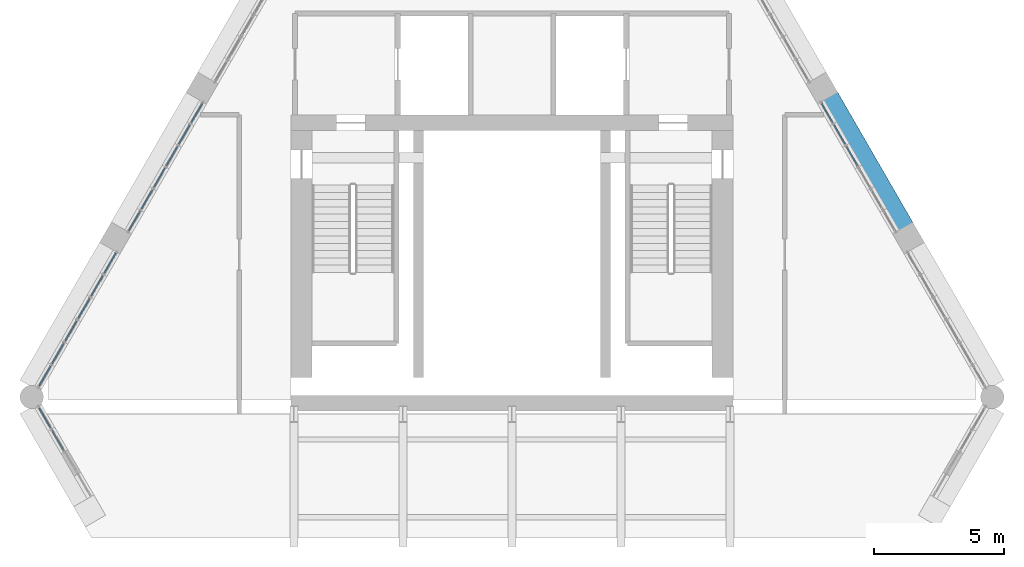
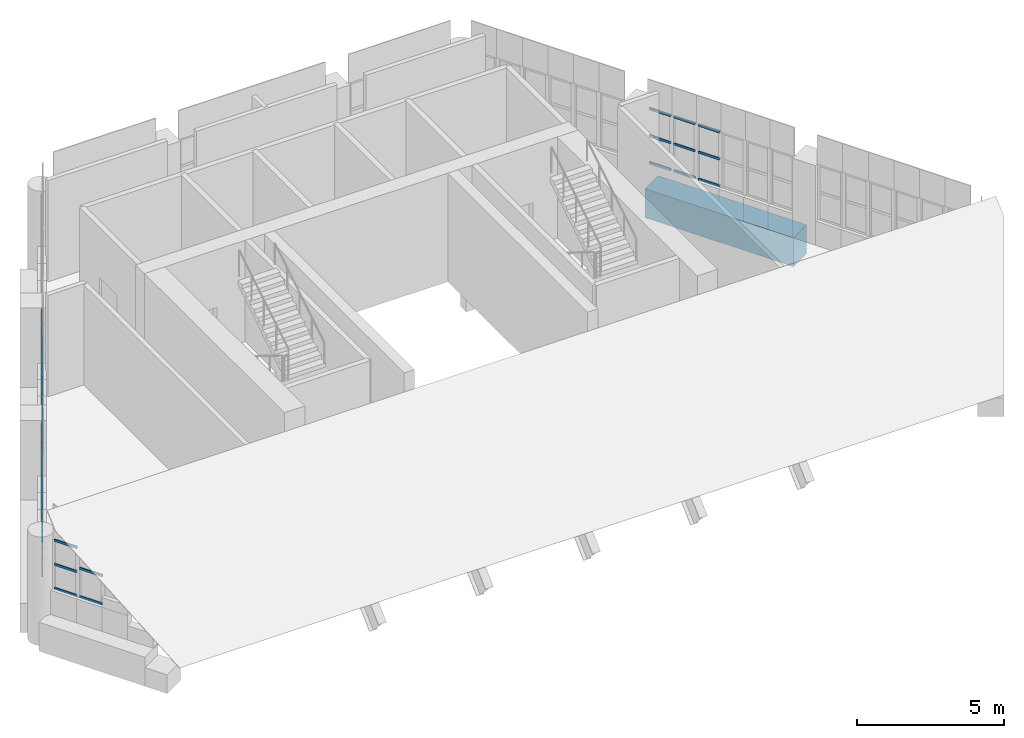
# One storey, part 11 of 20: 50 members, 1 beam, 17 elements without a shape of their own.
"""IFC4 building model written with IfcOpenShell, lengths in metres."""

from ifc_helpers import new_model, si_unit, direction, frame, origin, origin_2d, place, context, subcontext, project, spatial, rectangle, hollow_rectangle, extrude, material, material_profile, profile_set, type_object, element, aggregate, save


model = new_model("IFC4")

# Units and contexts
model_context = context("Model", 3, precision=1e-05, world=origin(), true_north=direction((0.0, 1.0)))
body_context = subcontext(model_context, "Body", "Model", "MODEL_VIEW")
ifc_project = project(units=[si_unit("LENGTHUNIT", "METRE"), si_unit("AREAUNIT", "SQUARE_METRE"), si_unit("VOLUMEUNIT", "CUBIC_METRE"), si_unit("PLANEANGLEUNIT", "RADIAN"), si_unit("MASSUNIT", "GRAM", prefix="KILO")], contexts=[model_context])

# Site, building, storey
site_placement = place(None, origin())
site = spatial("IfcSite", under=ifc_project, at=site_placement, CompositionType="ELEMENT")
building_placement = place(site_placement, origin())
building = spatial("IfcBuilding", under=site, at=building_placement, Name="Ostrander Bayou Hotel Tower", CompositionType="ELEMENT")
storey_placement = place(building_placement, frame((0.0, 0.0, 284.0)))
storey = spatial("IfcBuildingStorey", under=building, at=storey_placement, Name="L70", CompositionType="ELEMENT", Elevation=284.0)

# Curtain wall, members
ifc_material_1 = material(Name="Aluminium and clear glass", Category="aluminium")
curtain_wall_type = type_object("IfcCurtainWallType", Name="CW-CROWN glazed wall", PredefinedType="NOTDEFINED", material=ifc_material_1)
curtain_wall_1_placement = place(storey_placement, origin())
curtain_wall_1 = element("IfcCurtainWall", 1, at=curtain_wall_1_placement, inside=storey, type_object=curtain_wall_type, Name="CW-CROWN L70:NW-2-1", PredefinedType="NOTDEFINED")
ifc_material_2 = material(Name="Aluminium", Category="aluminium")
ifc_material_profile_1 = material_profile(ifc_material_2, hollow_rectangle(XDim=0.050048828125, YDim=0.10009765625, WallThickness=0.00390625, at=origin_2d()))
ifc_profile_set_1 = profile_set([ifc_material_profile_1], Name="Aluminium")
member_type = type_object("IfcMemberType", Name="CW-CR transom 50 x 100 mm", PredefinedType="USERDEFINED", material=ifc_profile_set_1)
member_1_placement = place(storey_placement, frame((-11.92138671875, 10.138427734375, 1.030029296875), z_axis=(-0.500016035621, -0.866016145416, 0.0), x_axis=(0.866016145416, -0.500016035621, 0.0)))
member_1 = element("IfcMember", 2, at=member_1_placement, type_object=member_type, Name="CW-CROWN transom 1.1", ObjectType="TRANSOM", PredefinedType="USERDEFINED", context=body_context, shape_type="SweptSolid", body=[
    extrude(hollow_rectangle(XDim=0.050048828125, YDim=0.10009765625, WallThickness=0.00390625, at=origin_2d()), origin(), (0.0, 0.0, 1.0), 0.83984375),
])
member_2_placement = place(storey_placement, frame((-11.92138671875, 10.138427734375, 2.14990234375), z_axis=(-0.500016035621, -0.866016145416, 0.0), x_axis=(0.866016145416, -0.500016035621, 0.0)))
member_2 = element("IfcMember", 3, at=member_2_placement, type_object=member_type, Name="CW-CROWN transom 1.2", ObjectType="TRANSOM", PredefinedType="USERDEFINED", context=body_context, shape_type="SweptSolid", body=[
    extrude(hollow_rectangle(XDim=0.050048828125, YDim=0.10009765625, WallThickness=0.00390625, at=origin_2d()), origin(), (0.0, 0.0, 1.0), 0.83984375),
])
member_3_placement = place(storey_placement, frame((-11.92138671875, 10.138427734375, 3.27001953125), z_axis=(-0.500016035621, -0.866016145416, 0.0), x_axis=(0.866016145416, -0.500016035621, 0.0)))
member_3 = element("IfcMember", 4, at=member_3_placement, type_object=member_type, Name="CW-CROWN transom 1.3", ObjectType="TRANSOM", PredefinedType="USERDEFINED", context=body_context, shape_type="SweptSolid", body=[
    extrude(hollow_rectangle(XDim=0.050048828125, YDim=0.10009765625, WallThickness=0.00390625, at=origin_2d()), origin(), (0.0, 0.0, 1.0), 0.83984375),
])
aggregate(curtain_wall_1, [member_1, member_2, member_3])

curtain_wall_2_placement = place(storey_placement, origin())
curtain_wall_2 = element("IfcCurtainWall", 5, at=curtain_wall_2_placement, inside=storey, type_object=curtain_wall_type, Name="CW-CROWN L70:NW-2-2", PredefinedType="NOTDEFINED")
member_4_placement = place(storey_placement, frame((-12.4013671875, 9.30712890625, 1.030029296875), z_axis=(-0.500141944548, -0.86594343655, 0.0), x_axis=(0.86594343655, -0.500141944548, 0.0)))
member_4 = element("IfcMember", 6, at=member_4_placement, type_object=member_type, Name="CW-CROWN transom 1.1", ObjectType="TRANSOM", PredefinedType="USERDEFINED", context=body_context, shape_type="SweptSolid", body=[
    extrude(hollow_rectangle(XDim=0.050048828125, YDim=0.10009765625, WallThickness=0.00390625, at=origin_2d()), origin(), (0.0, 0.0, 1.0), 0.839599609375),
])
member_5_placement = place(storey_placement, frame((-12.4013671875, 9.30712890625, 2.14990234375), z_axis=(-0.500141944548, -0.86594343655, 0.0), x_axis=(0.86594343655, -0.500141944548, 0.0)))
member_5 = element("IfcMember", 7, at=member_5_placement, type_object=member_type, Name="CW-CROWN transom 1.2", ObjectType="TRANSOM", PredefinedType="USERDEFINED", context=body_context, shape_type="SweptSolid", body=[
    extrude(hollow_rectangle(XDim=0.050048828125, YDim=0.10009765625, WallThickness=0.00390625, at=origin_2d()), origin(), (0.0, 0.0, 1.0), 0.839599609375),
])
member_6_placement = place(storey_placement, frame((-12.4013671875, 9.30712890625, 3.27001953125), z_axis=(-0.500141944548, -0.86594343655, 0.0), x_axis=(0.86594343655, -0.500141944548, 0.0)))
member_6 = element("IfcMember", 8, at=member_6_placement, type_object=member_type, Name="CW-CROWN transom 1.3", ObjectType="TRANSOM", PredefinedType="USERDEFINED", context=body_context, shape_type="SweptSolid", body=[
    extrude(hollow_rectangle(XDim=0.050048828125, YDim=0.10009765625, WallThickness=0.00390625, at=origin_2d()), origin(), (0.0, 0.0, 1.0), 0.839599609375),
])
aggregate(curtain_wall_2, [member_4, member_5, member_6])

curtain_wall_3_placement = place(storey_placement, origin())
curtain_wall_3 = element("IfcCurtainWall", 9, at=curtain_wall_3_placement, inside=storey, type_object=curtain_wall_type, Name="CW-CROWN L70:NW-2-3", PredefinedType="NOTDEFINED")
member_7_placement = place(storey_placement, frame((-12.88134765625, 8.47607421875, 1.030029296875), z_axis=(-0.500016035621, -0.866016145416, 0.0), x_axis=(0.866016145416, -0.500016035621, 0.0)))
member_7 = element("IfcMember", 10, at=member_7_placement, type_object=member_type, Name="CW-CROWN transom 1.1", ObjectType="TRANSOM", PredefinedType="USERDEFINED", context=body_context, shape_type="SweptSolid", body=[
    extrude(hollow_rectangle(XDim=0.050048828125, YDim=0.10009765625, WallThickness=0.00390625, at=origin_2d()), origin(), (0.0, 0.0, 1.0), 0.83984375),
])
member_8_placement = place(storey_placement, frame((-12.88134765625, 8.47607421875, 2.14990234375), z_axis=(-0.500016035621, -0.866016145416, 0.0), x_axis=(0.866016145416, -0.500016035621, 0.0)))
member_8 = element("IfcMember", 11, at=member_8_placement, type_object=member_type, Name="CW-CROWN transom 1.2", ObjectType="TRANSOM", PredefinedType="USERDEFINED", context=body_context, shape_type="SweptSolid", body=[
    extrude(hollow_rectangle(XDim=0.050048828125, YDim=0.10009765625, WallThickness=0.00390625, at=origin_2d()), origin(), (0.0, 0.0, 1.0), 0.83984375),
])
member_9_placement = place(storey_placement, frame((-12.88134765625, 8.47607421875, 3.27001953125), z_axis=(-0.500016035621, -0.866016145416, 0.0), x_axis=(0.866016145416, -0.500016035621, 0.0)))
member_9 = element("IfcMember", 12, at=member_9_placement, type_object=member_type, Name="CW-CROWN transom 1.3", ObjectType="TRANSOM", PredefinedType="USERDEFINED", context=body_context, shape_type="SweptSolid", body=[
    extrude(hollow_rectangle(XDim=0.050048828125, YDim=0.10009765625, WallThickness=0.00390625, at=origin_2d()), origin(), (0.0, 0.0, 1.0), 0.83984375),
])
aggregate(curtain_wall_3, [member_7, member_8, member_9])

curtain_wall_4_placement = place(storey_placement, origin())
curtain_wall_4 = element("IfcCurtainWall", 13, at=curtain_wall_4_placement, inside=storey, type_object=curtain_wall_type, Name="CW-CROWN L70:NW-2-4", PredefinedType="NOTDEFINED")
member_10_placement = place(storey_placement, frame((-13.361083984375, 7.644775390625, 1.030029296875), z_axis=(-0.500016035621, -0.866016145416, 0.0), x_axis=(0.866016145416, -0.500016035621, 0.0)))
member_10 = element("IfcMember", 14, at=member_10_placement, type_object=member_type, Name="CW-CROWN transom 1.1", ObjectType="TRANSOM", PredefinedType="USERDEFINED", context=body_context, shape_type="SweptSolid", body=[
    extrude(hollow_rectangle(XDim=0.050048828125, YDim=0.10009765625, WallThickness=0.00390625, at=origin_2d()), origin(), (0.0, 0.0, 1.0), 0.83984375),
])
member_11_placement = place(storey_placement, frame((-13.361083984375, 7.644775390625, 2.14990234375), z_axis=(-0.500016035621, -0.866016145416, 0.0), x_axis=(0.866016145416, -0.500016035621, 0.0)))
member_11 = element("IfcMember", 15, at=member_11_placement, type_object=member_type, Name="CW-CROWN transom 1.2", ObjectType="TRANSOM", PredefinedType="USERDEFINED", context=body_context, shape_type="SweptSolid", body=[
    extrude(hollow_rectangle(XDim=0.050048828125, YDim=0.10009765625, WallThickness=0.00390625, at=origin_2d()), origin(), (0.0, 0.0, 1.0), 0.83984375),
])
member_12_placement = place(storey_placement, frame((-13.361083984375, 7.644775390625, 3.27001953125), z_axis=(-0.500016035621, -0.866016145416, 0.0), x_axis=(0.866016145416, -0.500016035621, 0.0)))
member_12 = element("IfcMember", 16, at=member_12_placement, type_object=member_type, Name="CW-CROWN transom 1.3", ObjectType="TRANSOM", PredefinedType="USERDEFINED", context=body_context, shape_type="SweptSolid", body=[
    extrude(hollow_rectangle(XDim=0.050048828125, YDim=0.10009765625, WallThickness=0.00390625, at=origin_2d()), origin(), (0.0, 0.0, 1.0), 0.83984375),
])
aggregate(curtain_wall_4, [member_10, member_11, member_12])

curtain_wall_5_placement = place(storey_placement, origin())
curtain_wall_5 = element("IfcCurtainWall", 17, at=curtain_wall_5_placement, inside=storey, type_object=curtain_wall_type, Name="CW-CROWN L70:NW-2-5", PredefinedType="NOTDEFINED")
member_13_placement = place(storey_placement, frame((-13.841064453125, 6.8134765625, 1.030029296875), z_axis=(-0.500016035621, -0.866016145416, 0.0), x_axis=(0.866016145416, -0.500016035621, 0.0)))
member_13 = element("IfcMember", 18, at=member_13_placement, type_object=member_type, Name="CW-CROWN transom 1.1", ObjectType="TRANSOM", PredefinedType="USERDEFINED", context=body_context, shape_type="SweptSolid", body=[
    extrude(hollow_rectangle(XDim=0.050048828125, YDim=0.10009765625, WallThickness=0.00390625, at=origin_2d()), origin(), (0.0, 0.0, 1.0), 0.83984375),
])
member_14_placement = place(storey_placement, frame((-13.841064453125, 6.8134765625, 2.14990234375), z_axis=(-0.500016035621, -0.866016145416, 0.0), x_axis=(0.866016145416, -0.500016035621, 0.0)))
member_14 = element("IfcMember", 19, at=member_14_placement, type_object=member_type, Name="CW-CROWN transom 1.2", ObjectType="TRANSOM", PredefinedType="USERDEFINED", context=body_context, shape_type="SweptSolid", body=[
    extrude(hollow_rectangle(XDim=0.050048828125, YDim=0.10009765625, WallThickness=0.00390625, at=origin_2d()), origin(), (0.0, 0.0, 1.0), 0.83984375),
])
member_15_placement = place(storey_placement, frame((-13.841064453125, 6.8134765625, 3.27001953125), z_axis=(-0.500016035621, -0.866016145416, 0.0), x_axis=(0.866016145416, -0.500016035621, 0.0)))
member_15 = element("IfcMember", 20, at=member_15_placement, type_object=member_type, Name="CW-CROWN transom 1.3", ObjectType="TRANSOM", PredefinedType="USERDEFINED", context=body_context, shape_type="SweptSolid", body=[
    extrude(hollow_rectangle(XDim=0.050048828125, YDim=0.10009765625, WallThickness=0.00390625, at=origin_2d()), origin(), (0.0, 0.0, 1.0), 0.83984375),
])
aggregate(curtain_wall_5, [member_13, member_14, member_15])

curtain_wall_6_placement = place(storey_placement, origin())
curtain_wall_6 = element("IfcCurtainWall", 21, at=curtain_wall_6_placement, inside=storey, type_object=curtain_wall_type, Name="CW-CROWN L70:NW-2-6", PredefinedType="NOTDEFINED")
member_16_placement = place(storey_placement, frame((-14.321044921875, 5.982421875, 1.030029296875), z_axis=(-0.500016035621, -0.866016145416, 0.0), x_axis=(0.866016145416, -0.500016035621, 0.0)))
member_16 = element("IfcMember", 22, at=member_16_placement, type_object=member_type, Name="CW-CROWN transom 1.1", ObjectType="TRANSOM", PredefinedType="USERDEFINED", context=body_context, shape_type="SweptSolid", body=[
    extrude(hollow_rectangle(XDim=0.050048828125, YDim=0.10009765625, WallThickness=0.00390625, at=origin_2d()), origin(), (0.0, 0.0, 1.0), 0.83984375),
])
member_17_placement = place(storey_placement, frame((-14.321044921875, 5.982421875, 2.14990234375), z_axis=(-0.500016035621, -0.866016145416, 0.0), x_axis=(0.866016145416, -0.500016035621, 0.0)))
member_17 = element("IfcMember", 23, at=member_17_placement, type_object=member_type, Name="CW-CROWN transom 1.2", ObjectType="TRANSOM", PredefinedType="USERDEFINED", context=body_context, shape_type="SweptSolid", body=[
    extrude(hollow_rectangle(XDim=0.050048828125, YDim=0.10009765625, WallThickness=0.00390625, at=origin_2d()), origin(), (0.0, 0.0, 1.0), 0.83984375),
])
member_18_placement = place(storey_placement, frame((-14.321044921875, 5.982421875, 3.27001953125), z_axis=(-0.500016035621, -0.866016145416, 0.0), x_axis=(0.866016145416, -0.500016035621, 0.0)))
member_18 = element("IfcMember", 24, at=member_18_placement, type_object=member_type, Name="CW-CROWN transom 1.3", ObjectType="TRANSOM", PredefinedType="USERDEFINED", context=body_context, shape_type="SweptSolid", body=[
    extrude(hollow_rectangle(XDim=0.050048828125, YDim=0.10009765625, WallThickness=0.00390625, at=origin_2d()), origin(), (0.0, 0.0, 1.0), 0.83984375),
])
aggregate(curtain_wall_6, [member_16, member_17, member_18])

curtain_wall_7_placement = place(storey_placement, origin())
curtain_wall_7 = element("IfcCurtainWall", 25, at=curtain_wall_7_placement, inside=storey, type_object=curtain_wall_type, Name="CW-CROWN L70:NW-3-1", PredefinedType="NOTDEFINED")
member_19_placement = place(storey_placement, frame((-15.2509765625, 4.371826171875, 1.030029296875), z_axis=(-0.499826157957, -0.866125748273, 0.0), x_axis=(0.866125748273, -0.499826157957, 0.0)))
member_19 = element("IfcMember", 26, at=member_19_placement, type_object=member_type, Name="CW-CROWN transom 1.1", ObjectType="TRANSOM", PredefinedType="USERDEFINED", context=body_context, shape_type="SweptSolid", body=[
    extrude(hollow_rectangle(XDim=0.050048828125, YDim=0.10009765625, WallThickness=0.00390625, at=origin_2d()), origin(), (0.0, 0.0, 1.0), 0.883056640625),
])
member_20_placement = place(storey_placement, frame((-15.2509765625, 4.371826171875, 2.14990234375), z_axis=(-0.499826157957, -0.866125748273, 0.0), x_axis=(0.866125748273, -0.499826157957, 0.0)))
member_20 = element("IfcMember", 27, at=member_20_placement, type_object=member_type, Name="CW-CROWN transom 1.2", ObjectType="TRANSOM", PredefinedType="USERDEFINED", context=body_context, shape_type="SweptSolid", body=[
    extrude(hollow_rectangle(XDim=0.050048828125, YDim=0.10009765625, WallThickness=0.00390625, at=origin_2d()), origin(), (0.0, 0.0, 1.0), 0.883056640625),
])
member_21_placement = place(storey_placement, frame((-15.2509765625, 4.371826171875, 3.27001953125), z_axis=(-0.499826157957, -0.866125748273, 0.0), x_axis=(0.866125748273, -0.499826157957, 0.0)))
member_21 = element("IfcMember", 28, at=member_21_placement, type_object=member_type, Name="CW-CROWN transom 1.3", ObjectType="TRANSOM", PredefinedType="USERDEFINED", context=body_context, shape_type="SweptSolid", body=[
    extrude(hollow_rectangle(XDim=0.050048828125, YDim=0.10009765625, WallThickness=0.00390625, at=origin_2d()), origin(), (0.0, 0.0, 1.0), 0.883056640625),
])
aggregate(curtain_wall_7, [member_19, member_20, member_21])

curtain_wall_8_placement = place(storey_placement, origin())
curtain_wall_8 = element("IfcCurtainWall", 29, at=curtain_wall_8_placement, inside=storey, type_object=curtain_wall_type, Name="CW-CROWN L70:NW-3-2", PredefinedType="NOTDEFINED")
member_22_placement = place(storey_placement, frame((-15.75244140625, 3.5029296875, 1.030029296875), z_axis=(-0.500153222552, -0.865936922628, 0.0), x_axis=(0.865936922628, -0.500153222552, 0.0)))
member_22 = element("IfcMember", 30, at=member_22_placement, type_object=member_type, Name="CW-CROWN transom 1.1", ObjectType="TRANSOM", PredefinedType="USERDEFINED", context=body_context, shape_type="SweptSolid", body=[
    extrude(hollow_rectangle(XDim=0.050048828125, YDim=0.10009765625, WallThickness=0.00390625, at=origin_2d()), origin(), (0.0, 0.0, 1.0), 0.883056640625),
])
member_23_placement = place(storey_placement, frame((-15.75244140625, 3.5029296875, 2.14990234375), z_axis=(-0.500153222552, -0.865936922628, 0.0), x_axis=(0.865936922628, -0.500153222552, 0.0)))
member_23 = element("IfcMember", 31, at=member_23_placement, type_object=member_type, Name="CW-CROWN transom 1.2", ObjectType="TRANSOM", PredefinedType="USERDEFINED", context=body_context, shape_type="SweptSolid", body=[
    extrude(hollow_rectangle(XDim=0.050048828125, YDim=0.10009765625, WallThickness=0.00390625, at=origin_2d()), origin(), (0.0, 0.0, 1.0), 0.883056640625),
])
member_24_placement = place(storey_placement, frame((-15.75244140625, 3.5029296875, 3.27001953125), z_axis=(-0.500153222552, -0.865936922628, 0.0), x_axis=(0.865936922628, -0.500153222552, 0.0)))
member_24 = element("IfcMember", 32, at=member_24_placement, type_object=member_type, Name="CW-CROWN transom 1.3", ObjectType="TRANSOM", PredefinedType="USERDEFINED", context=body_context, shape_type="SweptSolid", body=[
    extrude(hollow_rectangle(XDim=0.050048828125, YDim=0.10009765625, WallThickness=0.00390625, at=origin_2d()), origin(), (0.0, 0.0, 1.0), 0.883056640625),
])
aggregate(curtain_wall_8, [member_22, member_23, member_24])

curtain_wall_9_placement = place(storey_placement, origin())
curtain_wall_9 = element("IfcCurtainWall", 33, at=curtain_wall_9_placement, inside=storey, type_object=curtain_wall_type, Name="CW-CROWN L70:NW-3-3", PredefinedType="NOTDEFINED")
member_25_placement = place(storey_placement, frame((-16.25390625, 2.63427734375, 1.030029296875), z_axis=(-0.500153222552, -0.865936922628, 0.0), x_axis=(0.865936922628, -0.500153222552, 0.0)))
member_25 = element("IfcMember", 34, at=member_25_placement, type_object=member_type, Name="CW-CROWN transom 1.1", ObjectType="TRANSOM", PredefinedType="USERDEFINED", context=body_context, shape_type="SweptSolid", body=[
    extrude(hollow_rectangle(XDim=0.050048828125, YDim=0.10009765625, WallThickness=0.00390625, at=origin_2d()), origin(), (0.0, 0.0, 1.0), 0.883056640625),
])
member_26_placement = place(storey_placement, frame((-16.25390625, 2.63427734375, 2.14990234375), z_axis=(-0.500153222552, -0.865936922628, 0.0), x_axis=(0.865936922628, -0.500153222552, 0.0)))
member_26 = element("IfcMember", 35, at=member_26_placement, type_object=member_type, Name="CW-CROWN transom 1.2", ObjectType="TRANSOM", PredefinedType="USERDEFINED", context=body_context, shape_type="SweptSolid", body=[
    extrude(hollow_rectangle(XDim=0.050048828125, YDim=0.10009765625, WallThickness=0.00390625, at=origin_2d()), origin(), (0.0, 0.0, 1.0), 0.883056640625),
])
member_27_placement = place(storey_placement, frame((-16.25390625, 2.63427734375, 3.27001953125), z_axis=(-0.500153222552, -0.865936922628, 0.0), x_axis=(0.865936922628, -0.500153222552, 0.0)))
member_27 = element("IfcMember", 36, at=member_27_placement, type_object=member_type, Name="CW-CROWN transom 1.3", ObjectType="TRANSOM", PredefinedType="USERDEFINED", context=body_context, shape_type="SweptSolid", body=[
    extrude(hollow_rectangle(XDim=0.050048828125, YDim=0.10009765625, WallThickness=0.00390625, at=origin_2d()), origin(), (0.0, 0.0, 1.0), 0.883056640625),
])
aggregate(curtain_wall_9, [member_25, member_26, member_27])

curtain_wall_10_placement = place(storey_placement, origin())
curtain_wall_10 = element("IfcCurtainWall", 37, at=curtain_wall_10_placement, inside=storey, type_object=curtain_wall_type, Name="CW-CROWN L70:NW-3-4", PredefinedType="NOTDEFINED")
member_28_placement = place(storey_placement, frame((-16.755615234375, 1.765625, 1.030029296875), z_axis=(-0.499945861543, -0.866056658381, 0.0), x_axis=(0.866056658381, -0.499945861543, 0.0)))
member_28 = element("IfcMember", 38, at=member_28_placement, type_object=member_type, Name="CW-CROWN transom 1.1", ObjectType="TRANSOM", PredefinedType="USERDEFINED", context=body_context, shape_type="SweptSolid", body=[
    extrude(hollow_rectangle(XDim=0.050048828125, YDim=0.10009765625, WallThickness=0.00390625, at=origin_2d()), origin(), (0.0, 0.0, 1.0), 0.8828125),
])
member_29_placement = place(storey_placement, frame((-16.755615234375, 1.765625, 2.14990234375), z_axis=(-0.499945861543, -0.866056658381, 0.0), x_axis=(0.866056658381, -0.499945861543, 0.0)))
member_29 = element("IfcMember", 39, at=member_29_placement, type_object=member_type, Name="CW-CROWN transom 1.2", ObjectType="TRANSOM", PredefinedType="USERDEFINED", context=body_context, shape_type="SweptSolid", body=[
    extrude(hollow_rectangle(XDim=0.050048828125, YDim=0.10009765625, WallThickness=0.00390625, at=origin_2d()), origin(), (0.0, 0.0, 1.0), 0.8828125),
])
member_30_placement = place(storey_placement, frame((-16.755615234375, 1.765625, 3.27001953125), z_axis=(-0.499945861543, -0.866056658381, 0.0), x_axis=(0.866056658381, -0.499945861543, 0.0)))
member_30 = element("IfcMember", 40, at=member_30_placement, type_object=member_type, Name="CW-CROWN transom 1.3", ObjectType="TRANSOM", PredefinedType="USERDEFINED", context=body_context, shape_type="SweptSolid", body=[
    extrude(hollow_rectangle(XDim=0.050048828125, YDim=0.10009765625, WallThickness=0.00390625, at=origin_2d()), origin(), (0.0, 0.0, 1.0), 0.8828125),
])
aggregate(curtain_wall_10, [member_28, member_29, member_30])

curtain_wall_11_placement = place(storey_placement, origin())
curtain_wall_11 = element("IfcCurtainWall", 41, at=curtain_wall_11_placement, inside=storey, type_object=curtain_wall_type, Name="CW-CROWN L70:NW-3-5", PredefinedType="NOTDEFINED")
member_31_placement = place(storey_placement, frame((-17.257080078125, 0.89697265625, 1.030029296875), z_axis=(-0.499945861543, -0.866056658381, 0.0), x_axis=(0.866056658381, -0.499945861543, 0.0)))
member_31 = element("IfcMember", 42, at=member_31_placement, type_object=member_type, Name="CW-CROWN transom 1.1", ObjectType="TRANSOM", PredefinedType="USERDEFINED", context=body_context, shape_type="SweptSolid", body=[
    extrude(hollow_rectangle(XDim=0.050048828125, YDim=0.10009765625, WallThickness=0.00390625, at=origin_2d()), origin(), (0.0, 0.0, 1.0), 0.8828125),
])
member_32_placement = place(storey_placement, frame((-17.257080078125, 0.89697265625, 2.14990234375), z_axis=(-0.499945861543, -0.866056658381, 0.0), x_axis=(0.866056658381, -0.499945861543, 0.0)))
member_32 = element("IfcMember", 43, at=member_32_placement, type_object=member_type, Name="CW-CROWN transom 1.2", ObjectType="TRANSOM", PredefinedType="USERDEFINED", context=body_context, shape_type="SweptSolid", body=[
    extrude(hollow_rectangle(XDim=0.050048828125, YDim=0.10009765625, WallThickness=0.00390625, at=origin_2d()), origin(), (0.0, 0.0, 1.0), 0.8828125),
])
member_33_placement = place(storey_placement, frame((-17.257080078125, 0.89697265625, 3.27001953125), z_axis=(-0.499945861543, -0.866056658381, 0.0), x_axis=(0.866056658381, -0.499945861543, 0.0)))
member_33 = element("IfcMember", 44, at=member_33_placement, type_object=member_type, Name="CW-CROWN transom 1.3", ObjectType="TRANSOM", PredefinedType="USERDEFINED", context=body_context, shape_type="SweptSolid", body=[
    extrude(hollow_rectangle(XDim=0.050048828125, YDim=0.10009765625, WallThickness=0.00390625, at=origin_2d()), origin(), (0.0, 0.0, 1.0), 0.8828125),
])
aggregate(curtain_wall_11, [member_31, member_32, member_33])

curtain_wall_12_placement = place(storey_placement, origin())
curtain_wall_12 = element("IfcCurtainWall", 45, at=curtain_wall_12_placement, inside=storey, type_object=curtain_wall_type, Name="CW-CROWN L70:NW-3-6", PredefinedType="NOTDEFINED")
member_34_placement = place(storey_placement, frame((-17.758544921875, 0.0283203125, 1.030029296875), z_axis=(-0.500153222552, -0.865936922628, 0.0), x_axis=(0.865936922628, -0.500153222552, 0.0)))
member_34 = element("IfcMember", 46, at=member_34_placement, type_object=member_type, Name="CW-CROWN transom 1.1", ObjectType="TRANSOM", PredefinedType="USERDEFINED", context=body_context, shape_type="SweptSolid", body=[
    extrude(hollow_rectangle(XDim=0.050048828125, YDim=0.10009765625, WallThickness=0.00390625, at=origin_2d()), origin(), (0.0, 0.0, 1.0), 0.883056640625),
])
member_35_placement = place(storey_placement, frame((-17.758544921875, 0.0283203125, 2.14990234375), z_axis=(-0.500153222552, -0.865936922628, 0.0), x_axis=(0.865936922628, -0.500153222552, 0.0)))
member_35 = element("IfcMember", 47, at=member_35_placement, type_object=member_type, Name="CW-CROWN transom 1.2", ObjectType="TRANSOM", PredefinedType="USERDEFINED", context=body_context, shape_type="SweptSolid", body=[
    extrude(hollow_rectangle(XDim=0.050048828125, YDim=0.10009765625, WallThickness=0.00390625, at=origin_2d()), origin(), (0.0, 0.0, 1.0), 0.883056640625),
])
member_36_placement = place(storey_placement, frame((-17.758544921875, 0.0283203125, 3.27001953125), z_axis=(-0.500153222552, -0.865936922628, 0.0), x_axis=(0.865936922628, -0.500153222552, 0.0)))
member_36 = element("IfcMember", 48, at=member_36_placement, type_object=member_type, Name="CW-CROWN transom 1.3", ObjectType="TRANSOM", PredefinedType="USERDEFINED", context=body_context, shape_type="SweptSolid", body=[
    extrude(hollow_rectangle(XDim=0.050048828125, YDim=0.10009765625, WallThickness=0.00390625, at=origin_2d()), origin(), (0.0, 0.0, 1.0), 0.883056640625),
])
aggregate(curtain_wall_12, [member_34, member_35, member_36])

curtain_wall_13_placement = place(storey_placement, origin())
curtain_wall_13 = element("IfcCurtainWall", 49, at=curtain_wall_13_placement, inside=storey, type_object=curtain_wall_type, Name="CW-CROWN L70:SW-1-1", PredefinedType="NOTDEFINED")
member_37_placement = place(storey_placement, frame((-18.199951171875, -1.57666015625, 1.030029296875), z_axis=(0.500001430823, -0.866024577697, 0.0), x_axis=(0.866024577697, 0.500001430823, 0.0)))
member_37 = element("IfcMember", 50, at=member_37_placement, type_object=member_type, Name="CW-CROWN transom 1.1", ObjectType="TRANSOM", PredefinedType="USERDEFINED", context=body_context, shape_type="SweptSolid", body=[
    extrude(hollow_rectangle(XDim=0.050048828125, YDim=0.10009765625, WallThickness=0.00390625, at=origin_2d()), origin(), (0.0, 0.0, 1.0), 0.8837890625),
])
member_38_placement = place(storey_placement, frame((-18.199951171875, -1.57666015625, 2.025390625), z_axis=(0.500001430823, -0.866024577697, 0.0), x_axis=(0.866024577697, 0.500001430823, 0.0)))
member_38 = element("IfcMember", 51, at=member_38_placement, type_object=member_type, Name="CW-CROWN transom 1.2", ObjectType="TRANSOM", PredefinedType="USERDEFINED", context=body_context, shape_type="SweptSolid", body=[
    extrude(hollow_rectangle(XDim=0.050048828125, YDim=0.10009765625, WallThickness=0.00390625, at=origin_2d()), origin(), (0.0, 0.0, 1.0), 0.8837890625),
])
member_39_placement = place(storey_placement, frame((-18.199951171875, -1.57666015625, 3.0205078125), z_axis=(0.500001430823, -0.866024577697, 0.0), x_axis=(0.866024577697, 0.500001430823, 0.0)))
member_39 = element("IfcMember", 52, at=member_39_placement, type_object=member_type, Name="CW-CROWN transom 1.3", ObjectType="TRANSOM", PredefinedType="USERDEFINED", context=body_context, shape_type="SweptSolid", body=[
    extrude(hollow_rectangle(XDim=0.050048828125, YDim=0.10009765625, WallThickness=0.00390625, at=origin_2d()), origin(), (0.0, 0.0, 1.0), 0.8837890625),
])
aggregate(curtain_wall_13, [member_37, member_38, member_39])

curtain_wall_14_placement = place(storey_placement, origin())
curtain_wall_14 = element("IfcCurtainWall", 53, at=curtain_wall_14_placement, inside=storey, type_object=curtain_wall_type, Name="CW-CROWN L70:SW-1-2", PredefinedType="NOTDEFINED")
member_40_placement = place(storey_placement, frame((-17.697998046875, -2.446044921875, 1.030029296875), z_axis=(0.500001430823, -0.866024577697, 0.0), x_axis=(0.866024577697, 0.500001430823, 0.0)))
member_40 = element("IfcMember", 54, at=member_40_placement, type_object=member_type, Name="CW-CROWN transom 1.1", ObjectType="TRANSOM", PredefinedType="USERDEFINED", context=body_context, shape_type="SweptSolid", body=[
    extrude(hollow_rectangle(XDim=0.050048828125, YDim=0.10009765625, WallThickness=0.00390625, at=origin_2d()), origin(), (0.0, 0.0, 1.0), 0.8837890625),
])
member_41_placement = place(storey_placement, frame((-17.697998046875, -2.446044921875, 2.20166015625), z_axis=(0.500001430823, -0.866024577697, 0.0), x_axis=(0.866024577697, 0.500001430823, 0.0)))
member_41 = element("IfcMember", 55, at=member_41_placement, type_object=member_type, Name="CW-CROWN transom 1.2", ObjectType="TRANSOM", PredefinedType="USERDEFINED", context=body_context, shape_type="SweptSolid", body=[
    extrude(hollow_rectangle(XDim=0.050048828125, YDim=0.10009765625, WallThickness=0.00390625, at=origin_2d()), origin(), (0.0, 0.0, 1.0), 0.8837890625),
])
aggregate(curtain_wall_14, [member_40, member_41])

curtain_wall_15_placement = place(storey_placement, origin())
curtain_wall_15 = element("IfcCurtainWall", 56, at=curtain_wall_15_placement, inside=storey, type_object=curtain_wall_type, Name="CW-CROWN L70:NE-2-4", PredefinedType="NOTDEFINED")
member_42_placement = place(storey_placement, frame((13.30126953125, 7.748779296875, 1.030029296875), z_axis=(-0.500016035621, 0.866016145416, 0.0), x_axis=(-0.866016145416, -0.500016035621, 0.0)))
member_42 = element("IfcMember", 57, at=member_42_placement, type_object=member_type, Name="CW-CROWN transom 1.1", ObjectType="TRANSOM", PredefinedType="USERDEFINED", context=body_context, shape_type="SweptSolid", body=[
    extrude(hollow_rectangle(XDim=0.050048828125, YDim=0.10009765625, WallThickness=0.00390625, at=origin_2d()), origin(), (0.0, 0.0, 1.0), 0.83984375),
])
member_43_placement = place(storey_placement, frame((13.30126953125, 7.748779296875, 2.14990234375), z_axis=(-0.500016035621, 0.866016145416, 0.0), x_axis=(-0.866016145416, -0.500016035621, 0.0)))
member_43 = element("IfcMember", 58, at=member_43_placement, type_object=member_type, Name="CW-CROWN transom 1.2", ObjectType="TRANSOM", PredefinedType="USERDEFINED", context=body_context, shape_type="SweptSolid", body=[
    extrude(hollow_rectangle(XDim=0.050048828125, YDim=0.10009765625, WallThickness=0.00390625, at=origin_2d()), origin(), (0.0, 0.0, 1.0), 0.83984375),
])
member_44_placement = place(storey_placement, frame((13.30126953125, 7.748779296875, 3.27001953125), z_axis=(-0.500016035621, 0.866016145416, 0.0), x_axis=(-0.866016145416, -0.500016035621, 0.0)))
member_44 = element("IfcMember", 59, at=member_44_placement, type_object=member_type, Name="CW-CROWN transom 1.3", ObjectType="TRANSOM", PredefinedType="USERDEFINED", context=body_context, shape_type="SweptSolid", body=[
    extrude(hollow_rectangle(XDim=0.050048828125, YDim=0.10009765625, WallThickness=0.00390625, at=origin_2d()), origin(), (0.0, 0.0, 1.0), 0.83984375),
])
aggregate(curtain_wall_15, [member_42, member_43, member_44])

curtain_wall_16_placement = place(storey_placement, origin())
curtain_wall_16 = element("IfcCurtainWall", 60, at=curtain_wall_16_placement, inside=storey, type_object=curtain_wall_type, Name="CW-CROWN L70:NE-2-5", PredefinedType="NOTDEFINED")
member_45_placement = place(storey_placement, frame((12.8212890625, 8.580078125, 1.030029296875), z_axis=(-0.500141944548, 0.86594343655, 0.0), x_axis=(-0.86594343655, -0.500141944548, 0.0)))
member_45 = element("IfcMember", 61, at=member_45_placement, type_object=member_type, Name="CW-CROWN transom 1.1", ObjectType="TRANSOM", PredefinedType="USERDEFINED", context=body_context, shape_type="SweptSolid", body=[
    extrude(hollow_rectangle(XDim=0.050048828125, YDim=0.10009765625, WallThickness=0.00390625, at=origin_2d()), origin(), (0.0, 0.0, 1.0), 0.839599609375),
])
member_46_placement = place(storey_placement, frame((12.8212890625, 8.580078125, 2.14990234375), z_axis=(-0.500141944548, 0.86594343655, 0.0), x_axis=(-0.86594343655, -0.500141944548, 0.0)))
member_46 = element("IfcMember", 62, at=member_46_placement, type_object=member_type, Name="CW-CROWN transom 1.2", ObjectType="TRANSOM", PredefinedType="USERDEFINED", context=body_context, shape_type="SweptSolid", body=[
    extrude(hollow_rectangle(XDim=0.050048828125, YDim=0.10009765625, WallThickness=0.00390625, at=origin_2d()), origin(), (0.0, 0.0, 1.0), 0.839599609375),
])
member_47_placement = place(storey_placement, frame((12.8212890625, 8.580078125, 3.27001953125), z_axis=(-0.500141944548, 0.86594343655, 0.0), x_axis=(-0.86594343655, -0.500141944548, 0.0)))
member_47 = element("IfcMember", 63, at=member_47_placement, type_object=member_type, Name="CW-CROWN transom 1.3", ObjectType="TRANSOM", PredefinedType="USERDEFINED", context=body_context, shape_type="SweptSolid", body=[
    extrude(hollow_rectangle(XDim=0.050048828125, YDim=0.10009765625, WallThickness=0.00390625, at=origin_2d()), origin(), (0.0, 0.0, 1.0), 0.839599609375),
])
aggregate(curtain_wall_16, [member_45, member_46, member_47])

curtain_wall_17_placement = place(storey_placement, origin())
curtain_wall_17 = element("IfcCurtainWall", 64, at=curtain_wall_17_placement, inside=storey, type_object=curtain_wall_type, Name="CW-CROWN L70:NE-2-6", PredefinedType="NOTDEFINED")
member_48_placement = place(storey_placement, frame((12.34130859375, 9.4111328125, 1.030029296875), z_axis=(-0.500016035621, 0.866016145416, 0.0), x_axis=(-0.866016145416, -0.500016035621, 0.0)))
member_48 = element("IfcMember", 65, at=member_48_placement, type_object=member_type, Name="CW-CROWN transom 1.1", ObjectType="TRANSOM", PredefinedType="USERDEFINED", context=body_context, shape_type="SweptSolid", body=[
    extrude(hollow_rectangle(XDim=0.050048828125, YDim=0.10009765625, WallThickness=0.00390625, at=origin_2d()), origin(), (0.0, 0.0, 1.0), 0.83984375),
])
member_49_placement = place(storey_placement, frame((12.34130859375, 9.4111328125, 2.14990234375), z_axis=(-0.500016035621, 0.866016145416, 0.0), x_axis=(-0.866016145416, -0.500016035621, 0.0)))
member_49 = element("IfcMember", 66, at=member_49_placement, type_object=member_type, Name="CW-CROWN transom 1.2", ObjectType="TRANSOM", PredefinedType="USERDEFINED", context=body_context, shape_type="SweptSolid", body=[
    extrude(hollow_rectangle(XDim=0.050048828125, YDim=0.10009765625, WallThickness=0.00390625, at=origin_2d()), origin(), (0.0, 0.0, 1.0), 0.83984375),
])
member_50_placement = place(storey_placement, frame((12.34130859375, 9.4111328125, 3.27001953125), z_axis=(-0.500016035621, 0.866016145416, 0.0), x_axis=(-0.866016145416, -0.500016035621, 0.0)))
member_50 = element("IfcMember", 67, at=member_50_placement, type_object=member_type, Name="CW-CROWN transom 1.3", ObjectType="TRANSOM", PredefinedType="USERDEFINED", context=body_context, shape_type="SweptSolid", body=[
    extrude(hollow_rectangle(XDim=0.050048828125, YDim=0.10009765625, WallThickness=0.00390625, at=origin_2d()), origin(), (0.0, 0.0, 1.0), 0.83984375),
])
aggregate(curtain_wall_17, [member_48, member_49, member_50])

# Beam
ifc_material_3 = material(Name="Concrete f'c 60 MPa", Category="concrete")
ifc_material_profile_2 = material_profile(ifc_material_3, rectangle(XDim=0.89990234375, YDim=1.199951171875, at=origin_2d()))
ifc_profile_set_2 = profile_set([ifc_material_profile_2], Name="Concrete f'c 60 MPa")
beam_type = type_object("IfcBeamType", Name="SP4 spandrel beam 900 x 1200 mm f'c 60 MPa", PredefinedType="SPANDREL", material=ifc_profile_set_2)
beam_placement = place(storey_placement, frame((15.045654296875, 5.3271484375, -0.60009765625), z_axis=(-0.499997265274, 0.866026982673, 0.0), x_axis=(-0.866026982673, -0.499997265274, 0.0)))
element("IfcBeam", 68, at=beam_placement, inside=storey, type_object=beam_type, Name="SP4 L70 NE-2", PredefinedType="SPANDREL", context=body_context, shape_type="SweptSolid", body=[
    extrude(rectangle(XDim=0.89990234375, YDim=1.199951171875, at=origin_2d()), origin(), (0.0, 0.0, 1.0), 5.81884765625),
])

save(model, "model.ifc")
